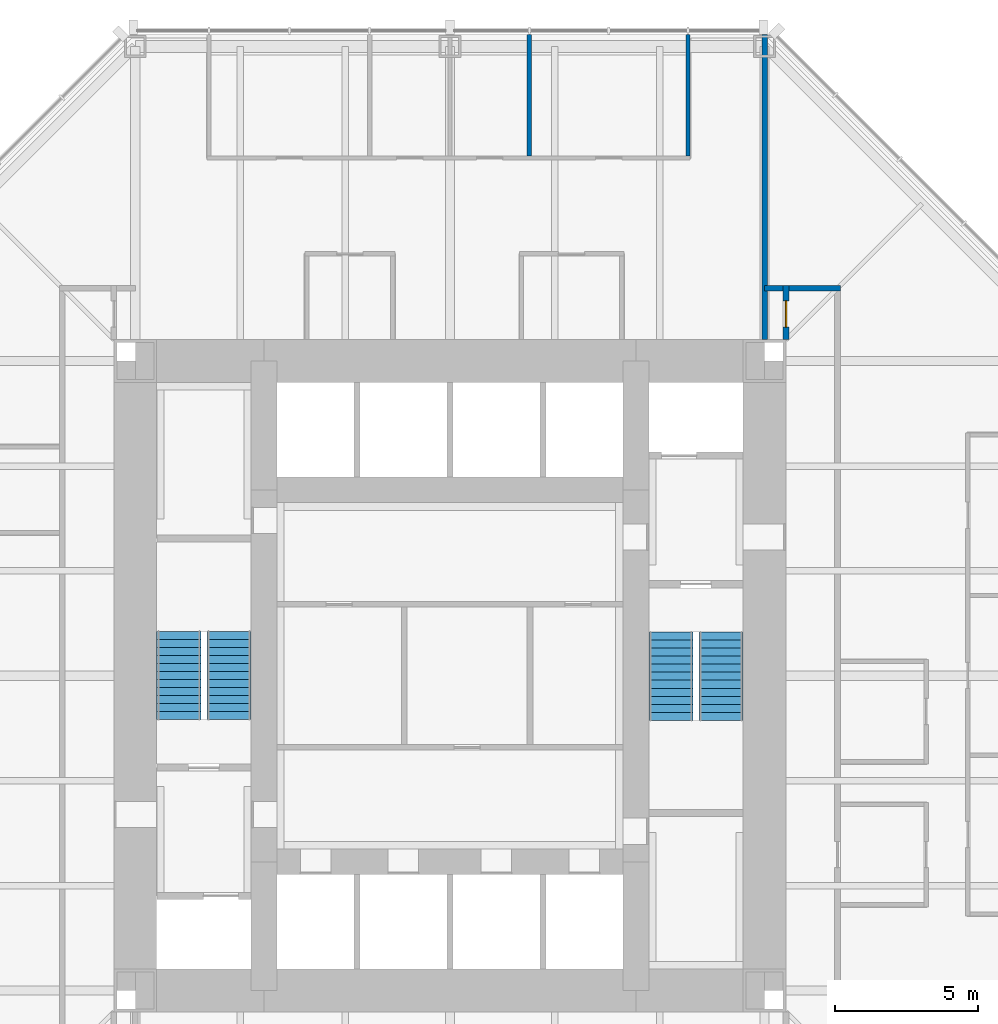
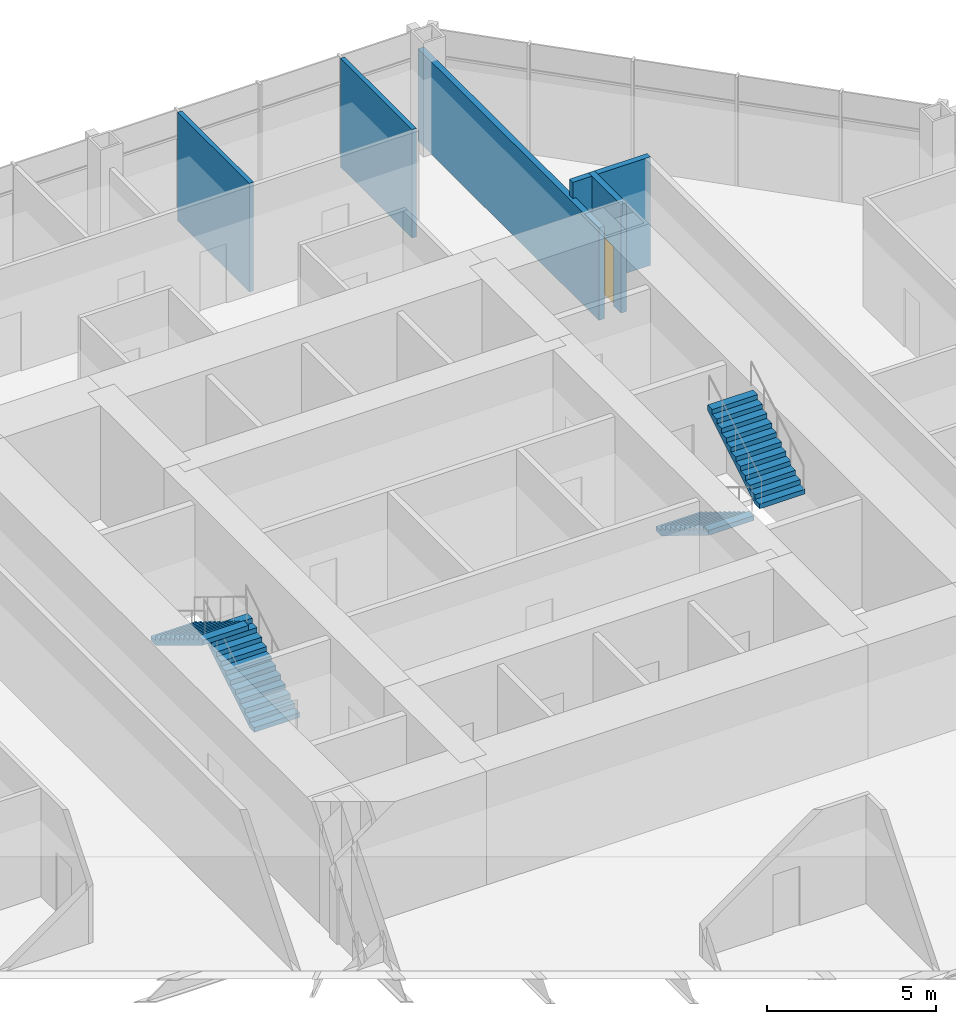
# One storey, part 11 of 12: 5 walls, 4 stair flights, 1 door, 1 opening, 2 elements without a shape of their own.
"""IFC4 building model written with IfcOpenShell, lengths in metres."""

from ifc_helpers import new_model, si_unit, direction, frame, frame_2d, origin, place, context, subcontext, project, spatial, polyline, rectangle, outline, extrude, material, layer, layer_set, type_object, element, fill, aggregate, save


model = new_model("IFC4")

# Units and contexts
model_context = context("Model", 3, precision=1e-05, world=origin(), true_north=direction((0.0, 1.0)))
body_context = subcontext(model_context, "Body", "Model", "MODEL_VIEW")
ifc_project = project(units=[si_unit("LENGTHUNIT", "METRE"), si_unit("AREAUNIT", "SQUARE_METRE"), si_unit("VOLUMEUNIT", "CUBIC_METRE"), si_unit("PLANEANGLEUNIT", "RADIAN"), si_unit("MASSUNIT", "GRAM", prefix="KILO")], contexts=[model_context])

# Site, building, storey
site_placement = place(None, origin())
site = spatial("IfcSite", under=ifc_project, at=site_placement, CompositionType="ELEMENT")
building_placement = place(site_placement, origin())
building = spatial("IfcBuilding", under=site, at=building_placement, Name="Trevanion Tower", CompositionType="ELEMENT")
storey_placement = place(building_placement, frame((0.0, 0.0, 133.60009765625)))
storey = spatial("IfcBuildingStorey", under=building, at=storey_placement, Name="L31", CompositionType="ELEMENT", Elevation=133.60009765625)

# Walls
ifc_material_1 = material(Name="Gypsum board on steel studs", Category="steel")
ifc_layer_1 = layer(ifc_material_1, 0.14990234375)
ifc_layer_set_1 = layer_set([ifc_layer_1], Name="PT1 partition 150")
wall_type_1 = type_object("IfcWallType", Name="PT1 partition 150", PredefinedType="PARTITIONING", material=ifc_layer_set_1)
for number, where, z_axis, x_axis, name in (
    (1, (8.322998046875, 18.175048828125, 0.0), (0.0, 0.0, 1.0), (0.0, 1.0, 0.0), "PT1 L31 FC1S0"),
    (2, (2.77490234375, 18.175048828125, 0.0), (0.0, 0.0, 1.0), (0.0, 1.0, 0.0), "PT1 L31 FC1S2"),
):
    element("IfcWall", number, at=place(storey_placement, frame(where, z_axis=z_axis, x_axis=x_axis)), inside=storey, type_object=wall_type_1, Name=name, PredefinedType="PARTITIONING", context=body_context, shape_type="SweptSolid", body=[
        extrude(rectangle(XDim=4.239990234375, YDim=0.14990234375, at=frame_2d((2.1201171875, 0.0))), origin(), (0.0, 0.0, 1.0), 3.909912109375),
    ])

# Wall, opening, door
ifc_material_2 = material(Name="Concrete masonry, grouted", Category="masonry")
ifc_layer_2 = layer(ifc_material_2, 0.199951171875)
ifc_layer_set_2 = layer_set([ifc_layer_2], Name="PT2 partition 200 1 HR")
wall_type_2 = type_object("IfcWallType", Name="PT2 partition 200 1 HR", PredefinedType="PARTITIONING", material=ifc_layer_set_2)
wall_1_placement = place(storey_placement, frame((11.75, 11.75, 0.0), z_axis=(0.0, 0.0, 1.0), x_axis=(0.0, 1.0, 0.0)))
wall_1 = element("IfcWall", 3, at=wall_1_placement, inside=storey, type_object=wall_type_2, Name="PT2 L31 OUNE1", PredefinedType="PARTITIONING", context=body_context, shape_type="SweptSolid", body=[
    extrude(rectangle(XDim=1.89990234375, YDim=0.199951171875, at=frame_2d((0.949951171875, 0.0))), origin(), (0.0, 0.0, 1.0), 3.909912109375),
])
opening_placement = place(wall_1_placement, frame((0.4423828125, 0.0, 0.0)))
opening = element("IfcOpeningElement", 4, at=opening_placement, cuts=wall_1, Name="Opening 31-018", PredefinedType="OPENING", context=body_context, shape_type="SweptSolid", body=[
    extrude(rectangle(XDim=0.9150390625, YDim=2.134033203125, at=frame_2d((0.45751953125, 1.06689453125))), frame((0.0, 0.10986328125, 0.0), z_axis=(0.0, -1.0, 0.0), x_axis=(1.0, 0.0, 0.0)), (0.0, 0.0, 1.0), 0.219970703125),
])
ifc_material_3 = material(Name="Timber veneer, fire rated", Category="wood")
door_type = type_object("IfcDoorType", Name="D10 office door in a one hour wall", OperationType="SINGLE_SWING_LEFT", PredefinedType="DOOR", material=ifc_material_3)
door_placement = place(opening_placement, frame((0.9150390625, 0.0, 0.0), z_axis=(0.0, 0.0, 1.0), x_axis=(-1.0, 0.0, 0.0)))
door = element("IfcDoor", 5, at=door_placement, inside=storey, type_object=door_type, Name="Door 31-018", OperationType="SINGLE_SWING_LEFT", OverallHeight=2.134033203125, OverallWidth=0.9150390625, PredefinedType="DOOR", context=body_context, shape_type="SweptSolid", body=[
    extrude(rectangle(XDim=0.9150390625, YDim=2.134033203125, at=frame_2d((0.45751953125, 1.06689453125))), frame((0.0, 0.02490234375, 0.0), z_axis=(0.0, -1.0, 0.0), x_axis=(1.0, 0.0, 0.0)), (0.0, 0.0, 1.0), 0.050048828125),
])
fill(opening, door)

# Walls
wall_2_placement = place(storey_placement, frame((11.0, 13.550048828125, 0.0), z_axis=(0.0, 0.0, 1.0), x_axis=(1.0, 0.0, 0.0)))
element("IfcWall", 6, at=wall_2_placement, inside=storey, type_object=wall_type_2, Name="PT2 L31 OUNE2", PredefinedType="PARTITIONING", context=body_context, shape_type="SweptSolid", body=[
    extrude(rectangle(XDim=2.64990234375, YDim=0.199951171875, at=frame_2d((1.324951171875, 0.0))), origin(), (0.0, 0.0, 1.0), 3.909912109375),
])
wall_3_placement = place(storey_placement, frame((11.0, 11.75, 0.0), z_axis=(0.0, 0.0, 1.0), x_axis=(0.0, 1.0, 0.0)))
element("IfcWall", 7, at=wall_3_placement, inside=storey, type_object=wall_type_2, Name="PT2 L31 DM0", PredefinedType="PARTITIONING", context=body_context, shape_type="SweptSolid", body=[
    extrude(rectangle(XDim=10.6650390625, YDim=0.199951171875, at=frame_2d((5.33251953125, 0.0))), origin(), (0.0, 0.0, 1.0), 3.32568359375),
])

# Stair, stair flights
ifc_material_4 = material(Name="Concrete 5,000 psi on steel stringers", Category="concrete")
stair_type = type_object("IfcStairType", Name="ST stair", PredefinedType="HALF_TURN_STAIR", material=ifc_material_4)
stair_1_placement = place(storey_placement, origin())
stair_1 = element("IfcStair", 8, at=stair_1_placement, inside=storey, type_object=stair_type, Name="ST1 L31", PredefinedType="HALF_TURN_STAIR")
ifc_material_5 = material(Name="Concrete 5,000 psi in steel pan", Category="concrete")
stair_flight_type = type_object("IfcStairFlightType", Name="STF stair flight", PredefinedType="STRAIGHT", material=ifc_material_5)
stair_flight_1_placement = place(storey_placement, frame((7.72509765625, 1.52490234375, 0.0), z_axis=(0.0, 0.0, 1.0), x_axis=(0.0, -1.0, 0.0)))
stair_flight_1 = element("IfcStairFlight", 9, at=stair_flight_1_placement, type_object=stair_flight_type, Name="ST1 flight 1", NumberOfRisers=12, NumberOfTreads=11, PredefinedType="STRAIGHT", RiserHeight=0.170833333, TreadLength=0.28, context=body_context, shape_type="SweptSolid", body=[
    extrude(outline(polyline([(0.0, 0.0), (0.0, 0.1708984375), (0.280029296875, 0.1708984375), (0.280029296875, 0.341552734375), (0.56005859375, 0.341552734375), (0.56005859375, 0.512451171875), (0.840087890625, 0.512451171875), (0.840087890625, 0.683349609375), (1.1201171875, 0.683349609375), (1.1201171875, 0.854248046875), (1.39990234375, 0.854248046875), (1.39990234375, 1.02490234375), (1.679931640625, 1.02490234375), (1.679931640625, 1.19580078125), (1.9599609375, 1.19580078125), (1.9599609375, 1.36669921875), (2.239990234375, 1.36669921875), (2.239990234375, 1.53759765625), (2.52001953125, 1.53759765625), (2.52001953125, 1.708251953125), (2.800048828125, 1.708251953125), (2.800048828125, 1.879150390625), (3.080078125, 1.879150390625), (3.080078125, 2.050048828125), (3.080078125, 1.70361328125), (0.287841796875, 0.0), (0.0, 0.0)])), frame((0.0, 0.77490234375, 0.0), z_axis=(0.0, -1.0, 0.0), x_axis=(1.0, 0.0, 0.0)), (0.0, 0.0, 1.0), 1.550048828125),
])
stair_flight_2_placement = place(storey_placement, frame((9.47509765625, -1.554931640625, 2.0498046875), z_axis=(0.0, 0.0, 1.0), x_axis=(0.0, 1.0, 0.0)))
stair_flight_2 = element("IfcStairFlight", 10, at=stair_flight_2_placement, type_object=stair_flight_type, Name="ST1 flight 2", NumberOfRisers=12, NumberOfTreads=11, PredefinedType="STRAIGHT", RiserHeight=0.170833333, TreadLength=0.28, context=body_context, shape_type="SweptSolid", body=[
    extrude(outline(polyline([(0.0, 0.0), (0.0, 0.1708984375), (0.280029296875, 0.1708984375), (0.280029296875, 0.341552734375), (0.56005859375, 0.341552734375), (0.56005859375, 0.512451171875), (0.840087890625, 0.512451171875), (0.840087890625, 0.683349609375), (1.1201171875, 0.683349609375), (1.1201171875, 0.854248046875), (1.39990234375, 0.854248046875), (1.39990234375, 1.02490234375), (1.679931640625, 1.02490234375), (1.679931640625, 1.19580078125), (1.9599609375, 1.19580078125), (1.9599609375, 1.36669921875), (2.239990234375, 1.36669921875), (2.239990234375, 1.53759765625), (2.52001953125, 1.53759765625), (2.52001953125, 1.708251953125), (2.800048828125, 1.708251953125), (2.800048828125, 1.879150390625), (3.080078125, 1.879150390625), (3.080078125, 2.050048828125), (3.080078125, 1.70361328125), (0.287841796875, 0.0), (0.0, 0.0)])), frame((0.0, 0.77490234375, 0.0), z_axis=(0.0, -1.0, 0.0), x_axis=(1.0, 0.0, 0.0)), (0.0, 0.0, 1.0), 1.550048828125),
])
aggregate(stair_1, [stair_flight_1, stair_flight_2])

stair_2_placement = place(storey_placement, origin())
stair_2 = element("IfcStair", 11, at=stair_2_placement, inside=storey, type_object=stair_type, Name="ST2 L31", PredefinedType="HALF_TURN_STAIR")
stair_flight_3_placement = place(storey_placement, frame((-7.72509765625, -1.52490234375, 0.0), z_axis=(0.0, 0.0, 1.0), x_axis=(0.0, 1.0, 0.0)))
stair_flight_3 = element("IfcStairFlight", 12, at=stair_flight_3_placement, type_object=stair_flight_type, Name="ST2 flight 1", NumberOfRisers=12, NumberOfTreads=11, PredefinedType="STRAIGHT", RiserHeight=0.170833333, TreadLength=0.28, context=body_context, shape_type="SweptSolid", body=[
    extrude(outline(polyline([(0.0, 0.0), (0.0, 0.1708984375), (0.280029296875, 0.1708984375), (0.280029296875, 0.341552734375), (0.56005859375, 0.341552734375), (0.56005859375, 0.512451171875), (0.840087890625, 0.512451171875), (0.840087890625, 0.683349609375), (1.1201171875, 0.683349609375), (1.1201171875, 0.854248046875), (1.39990234375, 0.854248046875), (1.39990234375, 1.02490234375), (1.679931640625, 1.02490234375), (1.679931640625, 1.19580078125), (1.9599609375, 1.19580078125), (1.9599609375, 1.36669921875), (2.239990234375, 1.36669921875), (2.239990234375, 1.53759765625), (2.52001953125, 1.53759765625), (2.52001953125, 1.708251953125), (2.800048828125, 1.708251953125), (2.800048828125, 1.879150390625), (3.080078125, 1.879150390625), (3.080078125, 2.050048828125), (3.080078125, 1.70361328125), (0.287841796875, 0.0), (0.0, 0.0)])), frame((0.0, 0.77490234375, 0.0), z_axis=(0.0, -1.0, 0.0), x_axis=(1.0, 0.0, 0.0)), (0.0, 0.0, 1.0), 1.550048828125),
])
stair_flight_4_placement = place(storey_placement, frame((-9.47509765625, 1.554931640625, 2.0498046875), z_axis=(0.0, 0.0, 1.0), x_axis=(0.0, -1.0, 0.0)))
stair_flight_4 = element("IfcStairFlight", 13, at=stair_flight_4_placement, type_object=stair_flight_type, Name="ST2 flight 2", NumberOfRisers=12, NumberOfTreads=11, PredefinedType="STRAIGHT", RiserHeight=0.170833333, TreadLength=0.28, context=body_context, shape_type="SweptSolid", body=[
    extrude(outline(polyline([(0.0, 0.0), (0.0, 0.1708984375), (0.280029296875, 0.1708984375), (0.280029296875, 0.341552734375), (0.56005859375, 0.341552734375), (0.56005859375, 0.512451171875), (0.840087890625, 0.512451171875), (0.840087890625, 0.683349609375), (1.1201171875, 0.683349609375), (1.1201171875, 0.854248046875), (1.39990234375, 0.854248046875), (1.39990234375, 1.02490234375), (1.679931640625, 1.02490234375), (1.679931640625, 1.19580078125), (1.9599609375, 1.19580078125), (1.9599609375, 1.36669921875), (2.239990234375, 1.36669921875), (2.239990234375, 1.53759765625), (2.52001953125, 1.53759765625), (2.52001953125, 1.708251953125), (2.800048828125, 1.708251953125), (2.800048828125, 1.879150390625), (3.080078125, 1.879150390625), (3.080078125, 2.050048828125), (3.080078125, 1.70361328125), (0.287841796875, 0.0), (0.0, 0.0)])), frame((0.0, 0.77490234375, 0.0), z_axis=(0.0, -1.0, 0.0), x_axis=(1.0, 0.0, 0.0)), (0.0, 0.0, 1.0), 1.550048828125),
])
aggregate(stair_2, [stair_flight_3, stair_flight_4])

save(model, "model.ifc")
